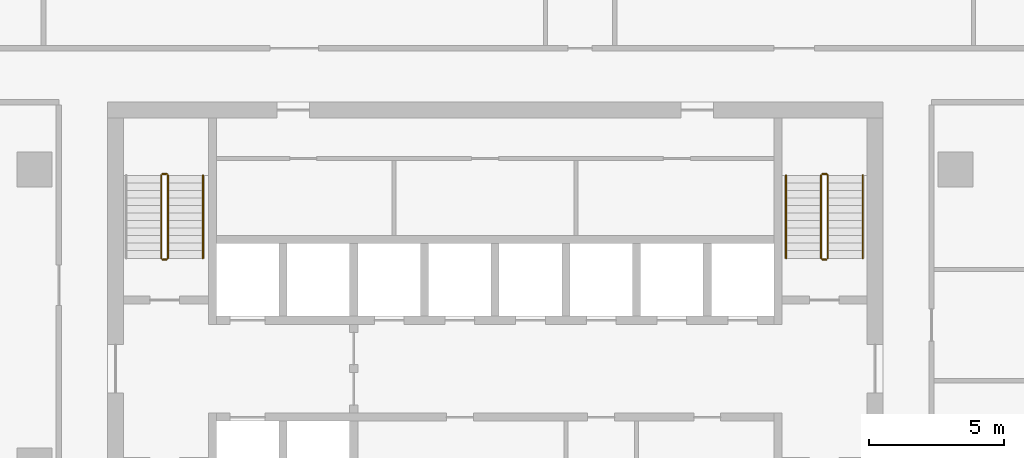
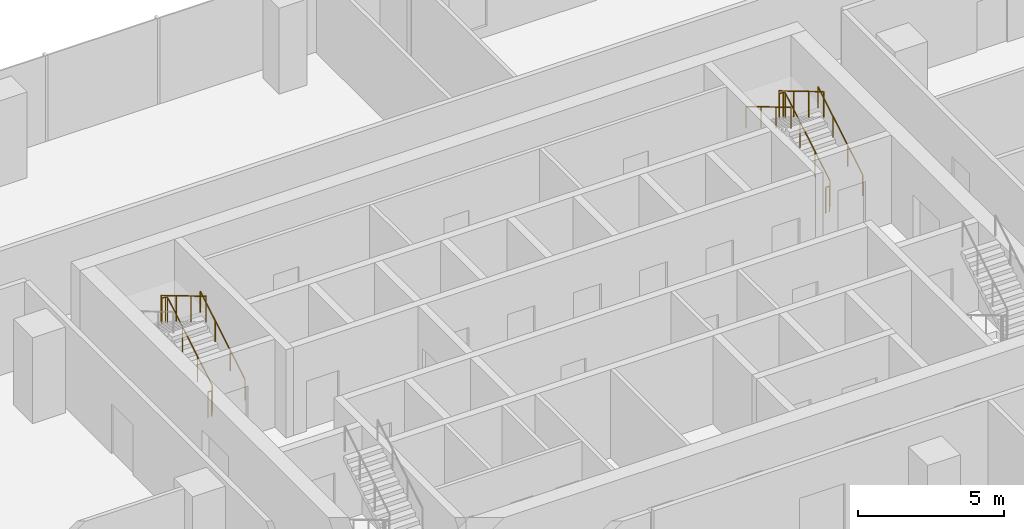
# One storey, part 13 of 14: 9 railings.
"""IFC4 building model written with IfcOpenShell, lengths in metres."""

from ifc_helpers import new_model, si_unit, direction, frame, origin, origin_2d, place, context, subcontext, project, spatial, circle, extrude, material, type_object, element, save


model = new_model("IFC4")

# Units and contexts
model_context = context("Model", 3, precision=1e-05, world=origin(), true_north=direction((0.0, 1.0)))
body_context = subcontext(model_context, "Body", "Model", "MODEL_VIEW")
ifc_project = project(units=[si_unit("LENGTHUNIT", "METRE"), si_unit("AREAUNIT", "SQUARE_METRE"), si_unit("VOLUMEUNIT", "CUBIC_METRE"), si_unit("PLANEANGLEUNIT", "RADIAN"), si_unit("MASSUNIT", "GRAM", prefix="KILO")], contexts=[model_context])

# Site, building, storey
site_placement = place(None, origin())
site = spatial("IfcSite", under=ifc_project, at=site_placement, CompositionType="ELEMENT")
building_placement = place(site_placement, origin())
building = spatial("IfcBuilding", under=site, at=building_placement, Name="Mopane Tessera Tower", CompositionType="ELEMENT")
storey_placement = place(building_placement, frame((0.0, 0.0, 251.0)))
storey = spatial("IfcBuildingStorey", under=building, at=storey_placement, Name="L54", CompositionType="ELEMENT", Elevation=251.0)

# Railings
ifc_material_1 = material(Name="Powder-coated steel balustrade", Category="steel")
railing_type_1 = type_object("IfcRailingType", Name="Escape stair guard 1100 mm", PredefinedType="GUARDRAIL", material=ifc_material_1)
railing_1_placement = place(storey_placement, frame((-12.14990234375, 7.699951171875, 0.166748046875)))
element("IfcRailing", 1, at=railing_1_placement, inside=storey, type_object=railing_type_1, Name="L54 ST2 stair guard 1", PredefinedType="GUARDRAIL", context=body_context, shape_type="SweptSolid", body=[
    extrude(circle(Radius=0.02392578125, at=origin_2d()), frame((0.0, 0.0, 1.076171875), z_axis=(0.0, 0.859308565015, 0.511457515432), x_axis=(-1.0, 0.0, 0.0)), (0.0, 0.0, 1.0), 3.58447265625),
    extrude(circle(Radius=0.02392578125, at=origin_2d()), frame((0.0, 3.080078125, 2.9091796875), z_axis=(-0.707106781187, 0.707106781187, 0.0), x_axis=(-0.707106781187, -0.707106781187, 0.0)), (0.0, 0.0, 1.0), 0.07080078125),
    extrude(circle(Radius=0.02392578125, at=origin_2d()), frame((-0.050048828125, 3.130126953125, 2.9091796875), z_axis=(-1.0, 0.0, 0.0), x_axis=(0.0, -1.0, 0.0)), (0.0, 0.0, 1.0), 0.150146484375),
    extrude(circle(Radius=0.02099609375, at=origin_2d()), origin(), (0.0, 0.0, 1.0), 1.052001953125),
    extrude(circle(Radius=0.02099609375, at=origin_2d()), frame((0.0, 1.026611328125, 0.611083984375)), (0.0, 0.0, 1.0), 1.052001953125),
    extrude(circle(Radius=0.02099609375, at=origin_2d()), frame((0.0, 2.053466796875, 1.22216796875)), (0.0, 0.0, 1.0), 1.052001953125),
    extrude(circle(Radius=0.02099609375, at=origin_2d()), frame((0.0, 3.080078125, 1.833251953125)), (0.0, 0.0, 1.0), 1.052001953125),
    extrude(circle(Radius=0.02099609375, at=origin_2d()), frame((-0.050048828125, 3.130126953125, 1.833251953125)), (0.0, 0.0, 1.0), 1.052001953125),
    extrude(circle(Radius=0.02099609375, at=origin_2d()), frame((-0.2001953125, 3.130126953125, 1.833251953125)), (0.0, 0.0, 1.0), 1.052001953125),
])
railing_2_placement = place(storey_placement, frame((-12.39990234375, 10.780029296875, 2.166748046875)))
element("IfcRailing", 2, at=railing_2_placement, inside=storey, type_object=railing_type_1, Name="L54 ST2 stair guard 2", PredefinedType="GUARDRAIL", context=body_context, shape_type="SweptSolid", body=[
    extrude(circle(Radius=0.02392578125, at=origin_2d()), frame((0.0, 0.0, 1.076171875), z_axis=(0.0, -0.859308565015, 0.511457515432), x_axis=(1.0, 0.0, 0.0)), (0.0, 0.0, 1.0), 3.58447265625),
    extrude(circle(Radius=0.02099609375, at=origin_2d()), origin(), (0.0, 0.0, 1.0), 1.052001953125),
    extrude(circle(Radius=0.02099609375, at=origin_2d()), frame((0.0, -1.026611328125, 0.611083984375)), (0.0, 0.0, 1.0), 1.052001953125),
    extrude(circle(Radius=0.02099609375, at=origin_2d()), frame((0.0, -2.053466796875, 1.22216796875)), (0.0, 0.0, 1.0), 1.052001953125),
    extrude(circle(Radius=0.02099609375, at=origin_2d()), frame((0.0, -3.080078125, 1.833251953125)), (0.0, 0.0, 1.0), 1.052001953125),
])
railing_3_placement = place(storey_placement, frame((-12.199951171875, 7.64990234375, 0.0)))
element("IfcRailing", 3, at=railing_3_placement, inside=storey, type_object=railing_type_1, Name="L54 ST2 stair guard 3", PredefinedType="GUARDRAIL", context=body_context, shape_type="SweptSolid", body=[
    extrude(circle(Radius=0.02392578125, at=origin_2d()), frame((0.0, 0.0, 1.076171875), z_axis=(-1.0, 0.0, 0.0), x_axis=(0.0, -1.0, 0.0)), (0.0, 0.0, 1.0), 0.150146484375),
    extrude(circle(Radius=0.02099609375, at=origin_2d()), origin(), (0.0, 0.0, 1.0), 1.052001953125),
    extrude(circle(Radius=0.02099609375, at=origin_2d()), frame((-0.150146484375, 0.0, 0.0)), (0.0, 0.0, 1.0), 1.052001953125),
])
railing_4_placement = place(storey_placement, frame((12.35009765625, 7.699951171875, 0.166748046875)))
element("IfcRailing", 4, at=railing_4_placement, inside=storey, type_object=railing_type_1, Name="L54 ST4 stair guard 1", PredefinedType="GUARDRAIL", context=body_context, shape_type="SweptSolid", body=[
    extrude(circle(Radius=0.02392578125, at=origin_2d()), frame((0.0, 0.0, 1.076171875), z_axis=(0.0, 0.859308565015, 0.511457515432), x_axis=(-1.0, 0.0, 0.0)), (0.0, 0.0, 1.0), 3.58447265625),
    extrude(circle(Radius=0.02392578125, at=origin_2d()), frame((0.0, 3.080078125, 2.9091796875), z_axis=(-0.707106781187, 0.707106781187, 0.0), x_axis=(-0.707106781187, -0.707106781187, 0.0)), (0.0, 0.0, 1.0), 0.07080078125),
    extrude(circle(Radius=0.02392578125, at=origin_2d()), frame((-0.050048828125, 3.130126953125, 2.9091796875), z_axis=(-1.0, 0.0, 0.0), x_axis=(0.0, -1.0, 0.0)), (0.0, 0.0, 1.0), 0.150146484375),
    extrude(circle(Radius=0.02099609375, at=origin_2d()), origin(), (0.0, 0.0, 1.0), 1.052001953125),
    extrude(circle(Radius=0.02099609375, at=origin_2d()), frame((0.0, 1.026611328125, 0.611083984375)), (0.0, 0.0, 1.0), 1.052001953125),
    extrude(circle(Radius=0.02099609375, at=origin_2d()), frame((0.0, 2.053466796875, 1.22216796875)), (0.0, 0.0, 1.0), 1.052001953125),
    extrude(circle(Radius=0.02099609375, at=origin_2d()), frame((0.0, 3.080078125, 1.833251953125)), (0.0, 0.0, 1.0), 1.052001953125),
    extrude(circle(Radius=0.02099609375, at=origin_2d()), frame((-0.050048828125, 3.130126953125, 1.833251953125)), (0.0, 0.0, 1.0), 1.052001953125),
    extrude(circle(Radius=0.02099609375, at=origin_2d()), frame((-0.2001953125, 3.130126953125, 1.833251953125)), (0.0, 0.0, 1.0), 1.052001953125),
])
railing_5_placement = place(storey_placement, frame((12.10009765625, 10.780029296875, 2.166748046875)))
element("IfcRailing", 5, at=railing_5_placement, inside=storey, type_object=railing_type_1, Name="L54 ST4 stair guard 2", PredefinedType="GUARDRAIL", context=body_context, shape_type="SweptSolid", body=[
    extrude(circle(Radius=0.02392578125, at=origin_2d()), frame((0.0, 0.0, 1.076171875), z_axis=(0.0, -0.859308565015, 0.511457515432), x_axis=(1.0, 0.0, 0.0)), (0.0, 0.0, 1.0), 3.58447265625),
    extrude(circle(Radius=0.02099609375, at=origin_2d()), origin(), (0.0, 0.0, 1.0), 1.052001953125),
    extrude(circle(Radius=0.02099609375, at=origin_2d()), frame((0.0, -1.026611328125, 0.611083984375)), (0.0, 0.0, 1.0), 1.052001953125),
    extrude(circle(Radius=0.02099609375, at=origin_2d()), frame((0.0, -2.053466796875, 1.22216796875)), (0.0, 0.0, 1.0), 1.052001953125),
    extrude(circle(Radius=0.02099609375, at=origin_2d()), frame((0.0, -3.080078125, 1.833251953125)), (0.0, 0.0, 1.0), 1.052001953125),
])
railing_6_placement = place(storey_placement, frame((12.300048828125, 7.64990234375, 0.0)))
element("IfcRailing", 6, at=railing_6_placement, inside=storey, type_object=railing_type_1, Name="L54 ST4 stair guard 3", PredefinedType="GUARDRAIL", context=body_context, shape_type="SweptSolid", body=[
    extrude(circle(Radius=0.02392578125, at=origin_2d()), frame((0.0, 0.0, 1.076171875), z_axis=(-1.0, 0.0, 0.0), x_axis=(0.0, -1.0, 0.0)), (0.0, 0.0, 1.0), 0.150146484375),
    extrude(circle(Radius=0.02099609375, at=origin_2d()), origin(), (0.0, 0.0, 1.0), 1.052001953125),
    extrude(circle(Radius=0.02099609375, at=origin_2d()), frame((-0.150146484375, 0.0, 0.0)), (0.0, 0.0, 1.0), 1.052001953125),
])
ifc_material_2 = material(Name="Powder-coated steel balustrade", Category="steel")
railing_type_2 = type_object("IfcRailingType", Name="Escape stair handrail 900 mm", PredefinedType="HANDRAIL", material=ifc_material_2)
for number, where, name in (
    (7, (-10.85009765625, 7.699951171875, 0.166748046875), "L54 ST2 stair handrail 1"),
    (8, (13.64990234375, 7.699951171875, 0.166748046875), "L54 ST4 stair handrail 1"),
):
    element("IfcRailing", number, at=place(storey_placement, frame(where)), inside=storey, type_object=railing_type_2, Name=name, PredefinedType="HANDRAIL", context=body_context, shape_type="SweptSolid", body=[
        extrude(circle(Radius=0.02392578125, at=origin_2d()), frame((0.0, 0.0, 0.8759765625), z_axis=(0.0, 0.859308565015, 0.511457515432), x_axis=(-1.0, 0.0, 0.0)), (0.0, 0.0, 1.0), 3.58447265625),
        extrude(circle(Radius=0.02099609375, at=origin_2d()), origin(), (0.0, 0.0, 1.0), 0.851806640625),
        extrude(circle(Radius=0.02099609375, at=origin_2d()), frame((0.0, 1.026611328125, 0.611083984375)), (0.0, 0.0, 1.0), 0.851806640625),
        extrude(circle(Radius=0.02099609375, at=origin_2d()), frame((0.0, 2.053466796875, 1.22216796875)), (0.0, 0.0, 1.0), 0.851806640625),
        extrude(circle(Radius=0.02099609375, at=origin_2d()), frame((0.0, 3.080078125, 1.833251953125)), (0.0, 0.0, 1.0), 0.851806640625),
    ])
railing_7_placement = place(storey_placement, frame((10.800048828125, 10.780029296875, 2.166748046875)))
element("IfcRailing", 9, at=railing_7_placement, inside=storey, type_object=railing_type_2, Name="L54 ST4 stair handrail 2", PredefinedType="HANDRAIL", context=body_context, shape_type="SweptSolid", body=[
    extrude(circle(Radius=0.02392578125, at=origin_2d()), frame((0.0, 0.0, 0.8759765625), z_axis=(0.0, -0.859308565015, 0.511457515432), x_axis=(1.0, 0.0, 0.0)), (0.0, 0.0, 1.0), 3.58447265625),
    extrude(circle(Radius=0.02099609375, at=origin_2d()), origin(), (0.0, 0.0, 1.0), 0.851806640625),
    extrude(circle(Radius=0.02099609375, at=origin_2d()), frame((0.0, -1.026611328125, 0.611083984375)), (0.0, 0.0, 1.0), 0.851806640625),
    extrude(circle(Radius=0.02099609375, at=origin_2d()), frame((0.0, -2.053466796875, 1.22216796875)), (0.0, 0.0, 1.0), 0.851806640625),
    extrude(circle(Radius=0.02099609375, at=origin_2d()), frame((0.0, -3.080078125, 1.833251953125)), (0.0, 0.0, 1.0), 0.851806640625),
])

save(model, "model.ifc")
